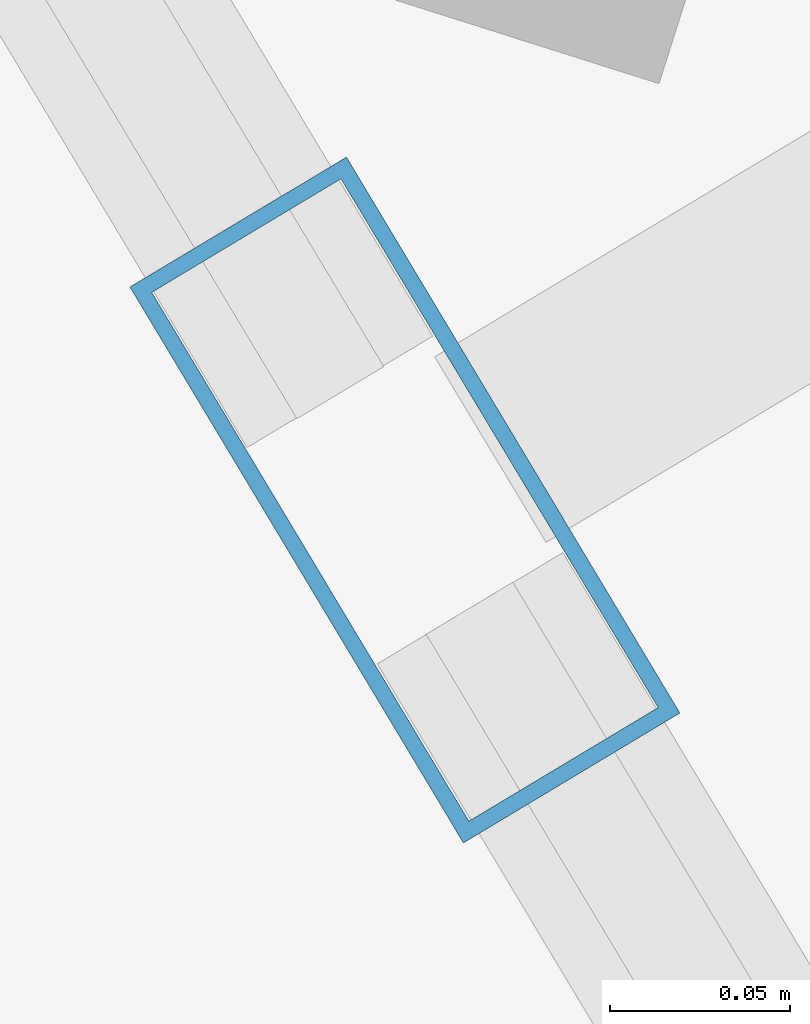
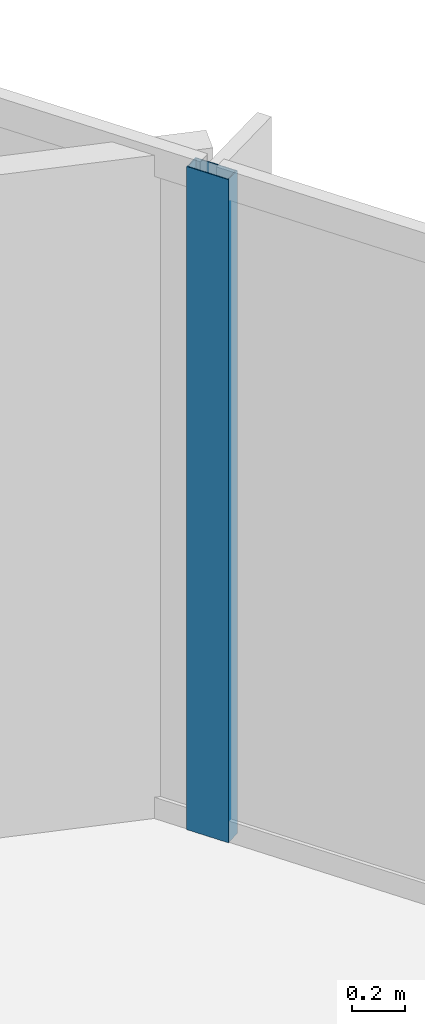
# One storey, part 18 of 35: 1 member, 1 element without a shape of its own.
"""IFC4 building model written with IfcOpenShell, lengths in metres."""

from ifc_helpers import new_model, si_unit, direction, frame, origin, origin_2d, place, context, subcontext, project, spatial, hollow_rectangle, extrude, material, layer, layer_set, material_profile, profile_set, type_object, element, aggregate, save


model = new_model("IFC4")

# Units and contexts
model_context = context("Model", 3, precision=1e-05, world=origin(), true_north=direction((0.0, 1.0)))
body_context = subcontext(model_context, "Body", "Model", "MODEL_VIEW")
ifc_project = project(units=[si_unit("LENGTHUNIT", "METRE"), si_unit("AREAUNIT", "SQUARE_METRE"), si_unit("VOLUMEUNIT", "CUBIC_METRE"), si_unit("PLANEANGLEUNIT", "RADIAN"), si_unit("MASSUNIT", "GRAM", prefix="KILO")], contexts=[model_context])

# Site, building, storey
site_placement = place(None, origin())
site = spatial("IfcSite", under=ifc_project, at=site_placement, CompositionType="ELEMENT")
building_placement = place(site_placement, origin())
building = spatial("IfcBuilding", under=site, at=building_placement, Name="Orvanel Arch Residences", CompositionType="ELEMENT")
storey_placement = place(building_placement, frame((0.0, 0.0, 36.800048828125)))
storey = spatial("IfcBuildingStorey", under=building, at=storey_placement, Name="L09", CompositionType="ELEMENT", Elevation=36.800048828125)

# Curtain wall, member
ifc_material = material(Name="Bronze-anodised aluminium AA6063-T6", Category="aluminium")
ifc_layer = layer(ifc_material, 0.179931640625)
ifc_layer_set = layer_set([ifc_layer], Name="Bronze-anodised aluminium AA6063-T6")
curtain_wall_type = type_object("IfcCurtainWallType", Name="CW2-LOW-SYS", PredefinedType="NOTDEFINED", material=ifc_layer_set)
curtain_wall_placement = place(storey_placement, origin())
curtain_wall = element("IfcCurtainWall", 1, at=curtain_wall_placement, inside=storey, type_object=curtain_wall_type, Name="L09 CW2-LOW-SYS Unitised Curtain Wall", PredefinedType="NOTDEFINED")
ifc_material_profile = material_profile(ifc_material, hollow_rectangle(XDim=0.070068359375, YDim=0.179931640625, WallThickness=0.00439453125, at=origin_2d()), Name="ALU180x70x4.5")
ifc_profile_set = profile_set([ifc_material_profile], Name="Bronze-anodised aluminium AA6063-T6")
member_type = type_object("IfcMemberType", Name="MUL-180x70", PredefinedType="MULLION", material=ifc_profile_set)
member_placement = place(storey_placement, frame((50.314453125, 30.403076171875, 0.0), z_axis=(0.0, 0.0, 1.0), x_axis=(-0.857554559604, -0.514393018326, 0.0)))
member = element("IfcMember", 2, at=member_placement, type_object=member_type, Name="CW-S2 mullion 2", PredefinedType="MULLION", context=body_context, shape_type="SweptSolid", body=[
    extrude(hollow_rectangle(XDim=0.070068359375, YDim=0.179931640625, WallThickness=0.00439453125, at=origin_2d()), origin(), (0.0, 0.0, 1.0), 3.06005859375),
])
aggregate(curtain_wall, [member])

save(model, "model.ifc")
